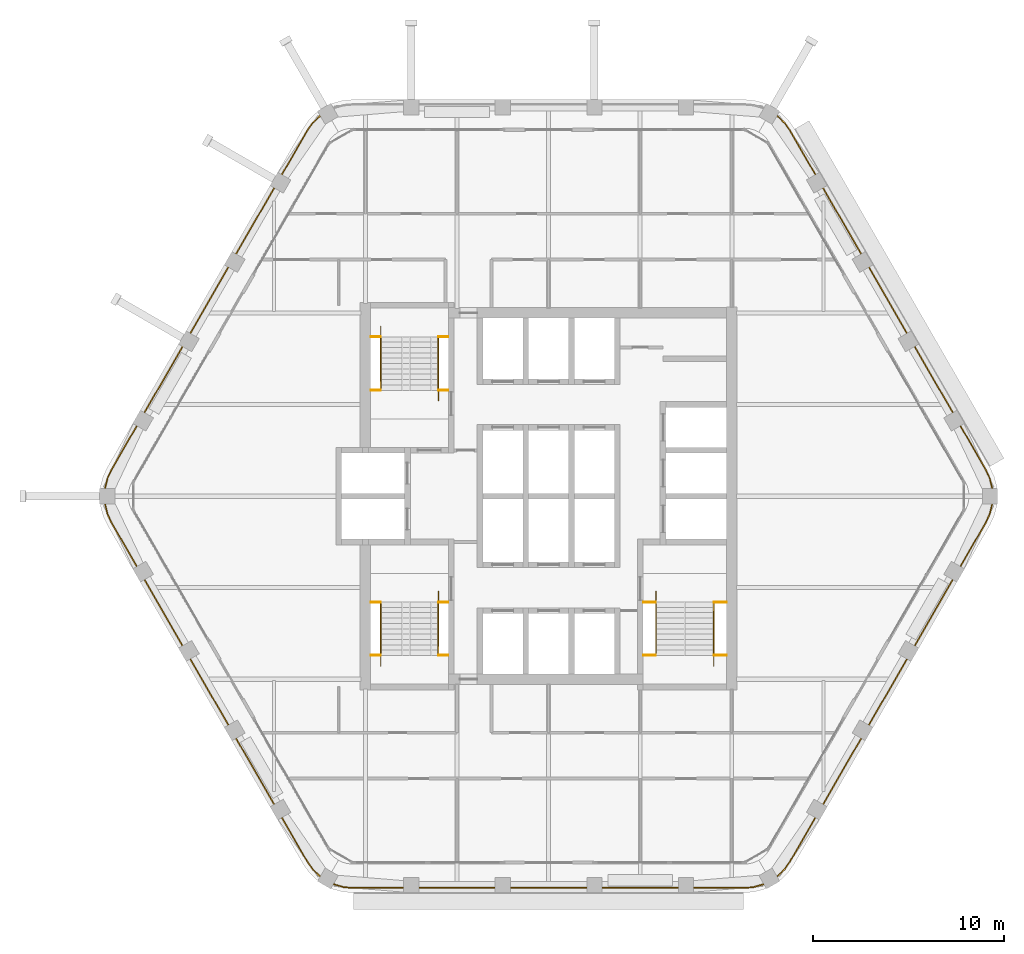
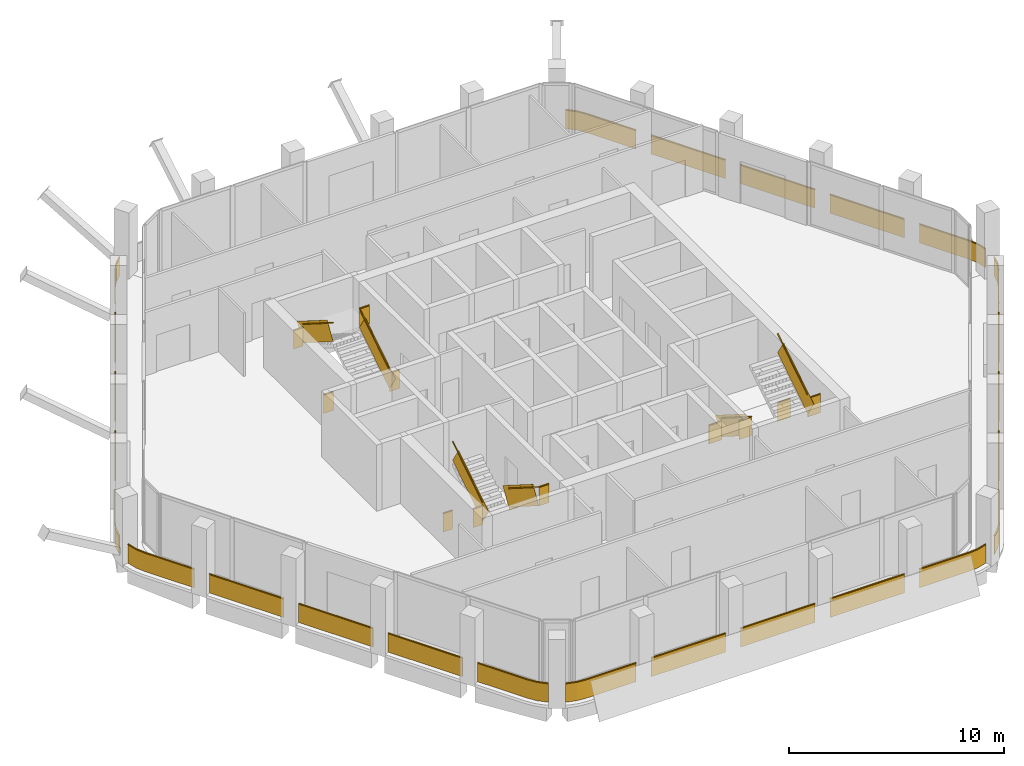
# One storey, part 13 of 14: 11 railings.
"""IFC4 building model written with IfcOpenShell, lengths in metres."""

import ifcopenshell
import ifcopenshell.guid

model = None  # the IFC model being written
_history = None  # IfcOwnerHistory: only IFC2X3 demands one
_inside = {}  # id of a spatial element -> (the spatial element, [elements in it])
_under = {}  # id of a project, library or spatial element -> (it, [spatial elements below it])
_declared = {}  # id of a project -> (the project, [libraries it declares])
_typed = {}  # id of a type object -> (the type object, [elements of that type])
_made_of = {}  # id of a material, layer set ... -> (it, [elements and type objects made of it])


def new_model(schema):
    """Start an empty IFC model of exactly this schema.

    Asked for "IFC4X3", IfcOpenShell would pick the latest addendum, in which some entities
    have other attributes; the version numbers below select the first issue.
    IFC2X3 requires an IfcOwnerHistory on every rooted entity: one is made here for all.
    """
    global model, _history
    if schema == "IFC4X3":
        model = ifcopenshell.file(schema_version=(4, 3, 0, 0))
    else:
        model = ifcopenshell.file(schema=schema)
    _inside.clear()
    _under.clear()
    _declared.clear()
    _typed.clear()
    _made_of.clear()
    _history = None
    if model.schema == "IFC2X3":
        org = make("IfcOrganization", Name="unknown")
        user = make(
            "IfcPersonAndOrganization",
            ThePerson=make("IfcPerson", FamilyName="unknown"),
            TheOrganization=org,
        )
        app = make(
            "IfcApplication",
            ApplicationDeveloper=org,
            Version="unknown",
            ApplicationFullName="unknown",
            ApplicationIdentifier="unknown",
        )
        _history = make(
            "IfcOwnerHistory",
            OwningUser=user,
            OwningApplication=app,
            ChangeAction="ADDED",
            CreationDate=0,
        )
    return model


def make(cls, **values):
    """One entity of the class cls with the attributes given. An attribute that is None is left unset."""
    return model.create_entity(
        cls, **{name: value for name, value in values.items() if value is not None}
    )


def rooted(cls, **values):
    """An entity with a GlobalId (a new one), such as an element, a storey or a relation."""
    return make(cls, GlobalId=ifcopenshell.guid.new(), OwnerHistory=_history, **values)


def si_unit(unit_type, name, prefix=None):
    """IfcSIUnit, for example si_unit("LENGTHUNIT", "METRE", prefix="MILLI")."""
    return make("IfcSIUnit", UnitType=unit_type, Prefix=prefix, Name=name)


def assignment(units):
    """IfcUnitAssignment: the units of a project."""
    return None if units is None else make("IfcUnitAssignment", Units=units)


def point(xyz):
    """IfcCartesianPoint."""
    return None if xyz is None else make("IfcCartesianPoint", Coordinates=xyz)


def direction(xyz):
    """IfcDirection."""
    return None if xyz is None else make("IfcDirection", DirectionRatios=xyz)


def frame(location, z_axis=None, x_axis=None):
    """IfcAxis2Placement3D, a coordinate frame: its origin and axes. An axis left out is left unset."""
    return make(
        "IfcAxis2Placement3D",
        Location=point(location),
        Axis=direction(z_axis),
        RefDirection=direction(x_axis),
    )


def frame_2d(location, x_axis=None):
    """IfcAxis2Placement2D, a coordinate frame in the plane: its origin and x axis."""
    return make(
        "IfcAxis2Placement2D", Location=point(location), RefDirection=direction(x_axis)
    )


def origin():
    """The frame at (0, 0, 0) with its axes left unset."""
    return frame((0.0, 0.0, 0.0))


def origin_2d():
    """The frame at (0, 0) in the plane with its x axis left unset."""
    return frame_2d((0.0, 0.0))


def place(relative_to, where):
    """IfcLocalPlacement: puts the frame where relative to a parent placement (None: the world)."""
    return make(
        "IfcLocalPlacement", PlacementRelTo=relative_to, RelativePlacement=where
    )


def context(
    kind, dimensions, precision=None, world=None, true_north=None, identifier=None
):
    """IfcGeometricRepresentationContext, for example the 3D "Model" context."""
    return make(
        "IfcGeometricRepresentationContext",
        ContextIdentifier=identifier,
        ContextType=kind,
        CoordinateSpaceDimension=dimensions,
        Precision=precision,
        WorldCoordinateSystem=world,
        TrueNorth=true_north,
    )


def subcontext(parent, identifier, kind, view, scale=None):
    """IfcGeometricRepresentationSubContext, for example "Body" below "Model"."""
    return make(
        "IfcGeometricRepresentationSubContext",
        ContextIdentifier=identifier,
        ContextType=kind,
        ParentContext=parent,
        TargetScale=scale,
        TargetView=view,
    )


def project(units=None, contexts=None):
    """IfcProject with its units and contexts."""
    return rooted(
        "IfcProject",
        Name="project",
        RepresentationContexts=contexts,
        UnitsInContext=assignment(units),
    )


def spatial(cls, under=None, at=None, **own):
    """A site, building, storey or space (cls), placed at a placement, below another one or the project."""
    s = rooted(cls, ObjectPlacement=at, **own)
    if under is not None:
        _under.setdefault(under.id(), (under, []))[1].append(s)
    return s


def profile(cls, at=None, kind="AREA", **sizes):
    """A parametric profile (cls). Its sizes go by their IFC names, for example OverallWidth=200.0."""
    return make(cls, ProfileType=kind, Position=at, **sizes)


def rectangle(**sizes):
    """IfcRectangleProfileDef."""
    return profile("IfcRectangleProfileDef", **sizes)


def extrude(swept, where, along, depth):
    """IfcExtrudedAreaSolid: the profile swept, set in the frame where, extruded along a direction by depth."""
    return make(
        "IfcExtrudedAreaSolid",
        SweptArea=swept,
        Position=where,
        ExtrudedDirection=direction(along),
        Depth=depth,
    )


def shape(context_of_items, identifier, shape_type, items):
    """IfcShapeRepresentation: the items that make up one representation, for example the "Body"."""
    return make(
        "IfcShapeRepresentation",
        ContextOfItems=context_of_items,
        RepresentationIdentifier=identifier,
        RepresentationType=shape_type,
        Items=items,
    )


def material(Name=None, Category=None):
    """IfcMaterial."""
    return make("IfcMaterial", Name=Name, Category=Category)


def made_of(thing, what):
    """Note that an element or type object is made of a material, layer set ...; save() writes the relation."""
    if what is not None:
        _made_of.setdefault(what.id(), (what, []))[1].append(thing)
    return thing


def type_object(cls, material=None, **own):
    """A type object (cls), such as IfcWallType, which elements share."""
    return made_of(rooted(cls, **own), material)


def element(
    cls,
    number,
    at=None,
    inside=None,
    cuts=None,
    type_object=None,
    material=None,
    context=None,
    identifier="Body",
    shape_type=None,
    held_by="IfcProductDefinitionShape",
    body=None,
    shapes=None,
    **own,
):
    """One element of the class cls, such as IfcWall. Its Tag is "e" and its number.

    at: its placement. inside: the storey or other place that contains it. cuts: it is an
    opening in that element (IfcRelVoidsElement). A single representation is given by context,
    identifier, shape_type and body (its items); several are given by shapes. held_by: the class
    of the entity that holds the representations. save() writes the other relations.
    """
    e = rooted(cls, Tag="e%d" % number, ObjectPlacement=at, **own)
    if body is not None:
        shapes = [shape(context, identifier, shape_type, body)]
    if shapes is not None:
        e.Representation = make(held_by, Representations=shapes)
    if inside is not None:
        _inside.setdefault(inside.id(), (inside, []))[1].append(e)
    if cuts is not None:
        rooted(
            "IfcRelVoidsElement", RelatingBuildingElement=cuts, RelatedOpeningElement=e
        )
    if type_object is not None:
        _typed.setdefault(type_object.id(), (type_object, []))[1].append(e)
    return made_of(e, material)


def aggregate(whole, parts):
    """IfcRelAggregates: a whole, such as a stair, and the parts it consists of."""
    return rooted("IfcRelAggregates", RelatingObject=whole, RelatedObjects=parts)


def save(model, path):
    """Write the relations noted so far, then the file.

    IfcRelAggregates (storeys below a building ...), IfcRelContainedInSpatialStructure (elements
    in a storey), IfcRelDefinesByType, IfcRelAssociatesMaterial and IfcRelDeclares: one each for
    every whole, place, type object, material and project.
    """
    for whole, parts in _under.values():
        aggregate(whole, parts)
    for where, things in _inside.values():
        rooted(
            "IfcRelContainedInSpatialStructure",
            RelatedElements=things,
            RelatingStructure=where,
        )
    for kind, things in _typed.values():
        rooted("IfcRelDefinesByType", RelatedObjects=things, RelatingType=kind)
    for what, things in _made_of.values():
        rooted("IfcRelAssociatesMaterial", RelatedObjects=things, RelatingMaterial=what)
    for by, libraries in _declared.values():
        rooted("IfcRelDeclares", RelatingContext=by, RelatedDefinitions=libraries)
    model.write(path)


model = new_model("IFC4")

# Units and contexts
model_context = context("Model", 3, precision=1e-05, world=origin(), true_north=direction((0.0, 1.0)))
body_context = subcontext(model_context, "Body", "Model", "MODEL_VIEW")
ifc_project = project(units=[si_unit("LENGTHUNIT", "METRE"), si_unit("AREAUNIT", "SQUARE_METRE"), si_unit("VOLUMEUNIT", "CUBIC_METRE"), si_unit("PLANEANGLEUNIT", "RADIAN"), si_unit("MASSUNIT", "GRAM", prefix="KILO")], contexts=[model_context])

# Site, building, storey
site_placement = place(None, origin())
site = spatial("IfcSite", under=ifc_project, at=site_placement, CompositionType="ELEMENT")
building_placement = place(site_placement, origin())
building = spatial("IfcBuilding", under=site, at=building_placement, Name="Kolab Exchange Tower", CompositionType="ELEMENT")
storey_placement = place(building_placement, frame((0.0, 0.0, 250.10009765625)))
storey = spatial("IfcBuildingStorey", under=building, at=storey_placement, Name="L55", CompositionType="ELEMENT", Elevation=250.10009765625)

# Railings
ifc_material_1 = material(Name="Stainless steel 316", Category="steel")
railing_type_1 = type_object("IfcRailingType", Name="GUARD 1100", PredefinedType="GUARDRAIL", material=ifc_material_1)
railing_1_placement = place(storey_placement, frame((-9.324951171875, 5.550048828125, 0.0)))
element("IfcRailing", 1, at=railing_1_placement, inside=storey, type_object=railing_type_1, Name="Guard ST1", PredefinedType="GUARDRAIL", context=body_context, shape_type="SweptSolid", body=[
    extrude(rectangle(XDim=0.05, YDim=0.05, at=origin_2d()), frame((0.0, 0.0, 1.0751953125), z_axis=(1.0, 0.0, 0.0), x_axis=(0.0, 1.0, 0.0)), (0.0, 0.0, 1.0), 0.52734375),
    extrude(rectangle(XDim=0.012, YDim=1.05009765625, at=frame_2d((0.0, 0.525146484375))), frame((0.0, 0.0, 0.0), z_axis=(1.0, 0.0, 0.0), x_axis=(0.0, 1.0, 0.0)), (0.0, 0.0, 1.0), 0.52734375),
    extrude(rectangle(XDim=0.05, YDim=0.05, at=origin_2d()), frame((3.54736328125, 0.0, 1.0751953125), z_axis=(1.0, 0.0, 0.0), x_axis=(0.0, 1.0, 0.0)), (0.0, 0.0, 1.0), 0.527587890625),
    extrude(rectangle(XDim=0.012, YDim=1.05009765625, at=frame_2d((0.0, 0.525146484375))), frame((3.54736328125, 0.0, 0.0), z_axis=(1.0, 0.0, 0.0), x_axis=(0.0, 1.0, 0.0)), (0.0, 0.0, 1.0), 0.527587890625),
    extrude(rectangle(XDim=0.05, YDim=0.05, at=origin_2d()), frame((0.0, 2.800048828125, 3.025146484375), z_axis=(1.0, 0.0, 0.0), x_axis=(0.0, 1.0, 0.0)), (0.0, 0.0, 1.0), 0.52734375),
    extrude(rectangle(XDim=0.012, YDim=1.05009765625, at=frame_2d((0.0, 0.525146484375))), frame((0.0, 2.800048828125, 1.949951171875), z_axis=(1.0, 0.0, 0.0), x_axis=(0.0, 1.0, 0.0)), (0.0, 0.0, 1.0), 0.52734375),
    extrude(rectangle(XDim=0.05, YDim=0.05, at=origin_2d()), frame((3.54736328125, 2.800048828125, 3.025146484375), z_axis=(1.0, 0.0, 0.0), x_axis=(0.0, 1.0, 0.0)), (0.0, 0.0, 1.0), 0.527587890625),
    extrude(rectangle(XDim=0.012, YDim=1.05009765625, at=frame_2d((0.0, 0.525146484375))), frame((3.54736328125, 2.800048828125, 1.949951171875), z_axis=(1.0, 0.0, 0.0), x_axis=(0.0, 1.0, 0.0)), (0.0, 0.0, 1.0), 0.527587890625),
])
railing_2_placement = place(storey_placement, frame((-5.777587890625, 5.550048828125, 0.17724609375)))
element("IfcRailing", 2, at=railing_2_placement, inside=storey, type_object=railing_type_1, Name="Handrail guard ST1", PredefinedType="GUARDRAIL", context=body_context, shape_type="SweptSolid", body=[
    extrude(rectangle(XDim=0.05, YDim=0.05, at=origin_2d()), frame((0.0, 0.0, 1.0751953125), z_axis=(0.0, 0.844908973607, 0.534910110503), x_axis=(-1.0, 0.0, 0.0)), (0.0, 0.0, 1.0), 3.31396484375),
    extrude(rectangle(XDim=0.012, YDim=1.05009765625, at=frame_2d((0.0, 0.525146484375))), frame((0.0, 0.0, 0.0), z_axis=(0.0, 0.844908973607, 0.534910110503), x_axis=(-1.0, 0.0, 0.0)), (0.0, 0.0, 1.0), 3.31396484375),
    extrude(rectangle(XDim=0.05, YDim=0.05, at=origin_2d()), frame((-3.02001953125, 2.800048828125, 3.025146484375), z_axis=(0.0, -0.844908973607, 0.534910110503), x_axis=(1.0, 0.0, 0.0)), (0.0, 0.0, 1.0), 3.31396484375),
    extrude(rectangle(XDim=0.012, YDim=1.05009765625, at=frame_2d((0.0, 0.525146484375))), frame((-3.02001953125, 2.800048828125, 1.949951171875), z_axis=(0.0, -0.844908973607, 0.534910110503), x_axis=(1.0, 0.0, 0.0)), (0.0, 0.0, 1.0), 3.31396484375),
])
railing_3_placement = place(storey_placement, frame((-9.324951171875, -5.550048828125, 0.0)))
element("IfcRailing", 3, at=railing_3_placement, inside=storey, type_object=railing_type_1, Name="Guard ST3", PredefinedType="GUARDRAIL", context=body_context, shape_type="SweptSolid", body=[
    extrude(rectangle(XDim=0.05, YDim=0.05, at=origin_2d()), frame((0.0, 0.0, 1.0751953125), z_axis=(1.0, 0.0, 0.0), x_axis=(0.0, 1.0, 0.0)), (0.0, 0.0, 1.0), 0.52734375),
    extrude(rectangle(XDim=0.012, YDim=1.05009765625, at=frame_2d((0.0, 0.525146484375))), frame((0.0, 0.0, 0.0), z_axis=(1.0, 0.0, 0.0), x_axis=(0.0, 1.0, 0.0)), (0.0, 0.0, 1.0), 0.52734375),
    extrude(rectangle(XDim=0.05, YDim=0.05, at=origin_2d()), frame((3.54736328125, 0.0, 1.0751953125), z_axis=(1.0, 0.0, 0.0), x_axis=(0.0, 1.0, 0.0)), (0.0, 0.0, 1.0), 0.527587890625),
    extrude(rectangle(XDim=0.012, YDim=1.05009765625, at=frame_2d((0.0, 0.525146484375))), frame((3.54736328125, 0.0, 0.0), z_axis=(1.0, 0.0, 0.0), x_axis=(0.0, 1.0, 0.0)), (0.0, 0.0, 1.0), 0.527587890625),
    extrude(rectangle(XDim=0.05, YDim=0.05, at=origin_2d()), frame((0.0, -2.800048828125, 3.025146484375), z_axis=(1.0, 0.0, 0.0), x_axis=(0.0, 1.0, 0.0)), (0.0, 0.0, 1.0), 0.52734375),
    extrude(rectangle(XDim=0.012, YDim=1.05009765625, at=frame_2d((0.0, 0.525146484375))), frame((0.0, -2.800048828125, 1.949951171875), z_axis=(1.0, 0.0, 0.0), x_axis=(0.0, 1.0, 0.0)), (0.0, 0.0, 1.0), 0.52734375),
    extrude(rectangle(XDim=0.05, YDim=0.05, at=origin_2d()), frame((3.54736328125, -2.800048828125, 3.025146484375), z_axis=(1.0, 0.0, 0.0), x_axis=(0.0, 1.0, 0.0)), (0.0, 0.0, 1.0), 0.527587890625),
    extrude(rectangle(XDim=0.012, YDim=1.05009765625, at=frame_2d((0.0, 0.525146484375))), frame((3.54736328125, -2.800048828125, 1.949951171875), z_axis=(1.0, 0.0, 0.0), x_axis=(0.0, 1.0, 0.0)), (0.0, 0.0, 1.0), 0.527587890625),
])
railing_4_placement = place(storey_placement, frame((-5.777587890625, -5.550048828125, 0.17724609375)))
element("IfcRailing", 4, at=railing_4_placement, inside=storey, type_object=railing_type_1, Name="Handrail guard ST3", PredefinedType="GUARDRAIL", context=body_context, shape_type="SweptSolid", body=[
    extrude(rectangle(XDim=0.05, YDim=0.05, at=origin_2d()), frame((0.0, 0.0, 1.0751953125), z_axis=(0.0, -0.844908973607, 0.534910110503), x_axis=(1.0, 0.0, 0.0)), (0.0, 0.0, 1.0), 3.31396484375),
    extrude(rectangle(XDim=0.012, YDim=1.05009765625, at=frame_2d((0.0, 0.525146484375))), frame((0.0, 0.0, 0.0), z_axis=(0.0, -0.844908973607, 0.534910110503), x_axis=(1.0, 0.0, 0.0)), (0.0, 0.0, 1.0), 3.31396484375),
    extrude(rectangle(XDim=0.05, YDim=0.05, at=origin_2d()), frame((-3.02001953125, -2.800048828125, 3.025146484375), z_axis=(0.0, 0.844908973607, 0.534910110503), x_axis=(-1.0, 0.0, 0.0)), (0.0, 0.0, 1.0), 3.31396484375),
    extrude(rectangle(XDim=0.012, YDim=1.05009765625, at=frame_2d((0.0, 0.525146484375))), frame((-3.02001953125, -2.800048828125, 1.949951171875), z_axis=(0.0, 0.844908973607, 0.534910110503), x_axis=(-1.0, 0.0, 0.0)), (0.0, 0.0, 1.0), 3.31396484375),
])
railing_5_placement = place(storey_placement, frame((4.949951171875, -5.550048828125, 0.0)))
element("IfcRailing", 5, at=railing_5_placement, inside=storey, type_object=railing_type_1, Name="Guard ST2", PredefinedType="GUARDRAIL", context=body_context, shape_type="SweptSolid", body=[
    extrude(rectangle(XDim=0.05, YDim=0.05, at=origin_2d()), frame((0.0, 0.0, 1.0751953125), z_axis=(1.0, 0.0, 0.0), x_axis=(0.0, 1.0, 0.0)), (0.0, 0.0, 1.0), 0.677490234375),
    extrude(rectangle(XDim=0.012, YDim=1.05009765625, at=frame_2d((0.0, 0.525146484375))), frame((0.0, 0.0, 0.0), z_axis=(1.0, 0.0, 0.0), x_axis=(0.0, 1.0, 0.0)), (0.0, 0.0, 1.0), 0.677490234375),
    extrude(rectangle(XDim=0.05, YDim=0.05, at=origin_2d()), frame((3.697509765625, 0.0, 1.0751953125), z_axis=(1.0, 0.0, 0.0), x_axis=(0.0, 1.0, 0.0)), (0.0, 0.0, 1.0), 0.677490234375),
    extrude(rectangle(XDim=0.012, YDim=1.05009765625, at=frame_2d((0.0, 0.525146484375))), frame((3.697509765625, 0.0, 0.0), z_axis=(1.0, 0.0, 0.0), x_axis=(0.0, 1.0, 0.0)), (0.0, 0.0, 1.0), 0.677490234375),
    extrude(rectangle(XDim=0.05, YDim=0.05, at=origin_2d()), frame((0.0, -2.800048828125, 3.025146484375), z_axis=(1.0, 0.0, 0.0), x_axis=(0.0, 1.0, 0.0)), (0.0, 0.0, 1.0), 0.677490234375),
    extrude(rectangle(XDim=0.012, YDim=1.05009765625, at=frame_2d((0.0, 0.525146484375))), frame((0.0, -2.800048828125, 1.949951171875), z_axis=(1.0, 0.0, 0.0), x_axis=(0.0, 1.0, 0.0)), (0.0, 0.0, 1.0), 0.677490234375),
    extrude(rectangle(XDim=0.05, YDim=0.05, at=origin_2d()), frame((3.697509765625, -2.800048828125, 3.025146484375), z_axis=(1.0, 0.0, 0.0), x_axis=(0.0, 1.0, 0.0)), (0.0, 0.0, 1.0), 0.677490234375),
    extrude(rectangle(XDim=0.012, YDim=1.05009765625, at=frame_2d((0.0, 0.525146484375))), frame((3.697509765625, -2.800048828125, 1.949951171875), z_axis=(1.0, 0.0, 0.0), x_axis=(0.0, 1.0, 0.0)), (0.0, 0.0, 1.0), 0.677490234375),
])
railing_6_placement = place(storey_placement, frame((5.62744140625, -5.550048828125, 0.17724609375)))
element("IfcRailing", 6, at=railing_6_placement, inside=storey, type_object=railing_type_1, Name="Handrail guard ST2", PredefinedType="GUARDRAIL", context=body_context, shape_type="SweptSolid", body=[
    extrude(rectangle(XDim=0.05, YDim=0.05, at=origin_2d()), frame((0.0, 0.0, 1.0751953125), z_axis=(0.0, -0.844908973607, 0.534910110503), x_axis=(1.0, 0.0, 0.0)), (0.0, 0.0, 1.0), 3.31396484375),
    extrude(rectangle(XDim=0.012, YDim=1.05009765625, at=frame_2d((0.0, 0.525146484375))), frame((0.0, 0.0, 0.0), z_axis=(0.0, -0.844908973607, 0.534910110503), x_axis=(1.0, 0.0, 0.0)), (0.0, 0.0, 1.0), 3.31396484375),
    extrude(rectangle(XDim=0.05, YDim=0.05, at=origin_2d()), frame((3.02001953125, -2.800048828125, 3.025146484375), z_axis=(0.0, 0.844908973607, 0.534910110503), x_axis=(-1.0, 0.0, 0.0)), (0.0, 0.0, 1.0), 3.31396484375),
    extrude(rectangle(XDim=0.012, YDim=1.05009765625, at=frame_2d((0.0, 0.525146484375))), frame((3.02001953125, -2.800048828125, 1.949951171875), z_axis=(0.0, 0.844908973607, 0.534910110503), x_axis=(-1.0, 0.0, 0.0)), (0.0, 0.0, 1.0), 3.31396484375),
])
ifc_material_2 = material(Name="Steel S235", Category="steel")
railing_type_2 = type_object("IfcRailingType", Name="GUARD 1100 GLASS BALUSTRADE AND STEEL TOP RAIL", PredefinedType="GUARDRAIL", material=ifc_material_2)
railing_7_placement = place(storey_placement, frame((23.2509765625, 0.3984375, 0.0)))
element("IfcRailing", 7, at=railing_7_placement, inside=storey, type_object=railing_type_2, Name="Guard", PredefinedType="GUARDRAIL", context=body_context, shape_type="SweptSolid", body=[
    extrude(rectangle(XDim=0.05, YDim=0.05, at=origin_2d()), frame((0.0, 0.0, 1.0751953125), z_axis=(-0.234597748196, 0.972092534968, 0.0), x_axis=(-0.972092534968, -0.234597748196, 0.0)), (0.0, 0.0, 1.0), 0.557861328125),
    extrude(rectangle(XDim=0.012, YDim=1.05009765625, at=frame_2d((0.0, 0.525146484375))), frame((0.0, 0.0, 0.0), z_axis=(-0.234597748196, 0.972092534968, 0.0), x_axis=(-0.972092534968, -0.234597748196, 0.0)), (0.0, 0.0, 1.0), 0.557861328125),
    extrude(rectangle(XDim=0.05, YDim=0.05, at=origin_2d()), frame((-0.130859375, 0.542236328125, 1.0751953125), z_axis=(-0.422801802984, 0.906222177721, 0.0), x_axis=(-0.906222177721, -0.422801802984, 0.0)), (0.0, 0.0, 1.0), 0.479248046875),
    extrude(rectangle(XDim=0.012, YDim=1.05009765625, at=frame_2d((0.0, 0.525146484375))), frame((-0.130859375, 0.542236328125, 0.0), z_axis=(-0.422801802984, 0.906222177721, 0.0), x_axis=(-0.906222177721, -0.422801802984, 0.0)), (0.0, 0.0, 1.0), 0.479248046875),
    extrude(rectangle(XDim=0.05, YDim=0.05, at=origin_2d()), frame((-0.33349609375, 0.9765625, 1.0751953125), z_axis=(-0.499997052475, 0.866027105532, 0.0), x_axis=(-0.866027105532, -0.499997052475, 0.0)), (0.0, 0.0, 1.0), 2.66796875),
    extrude(rectangle(XDim=0.012, YDim=1.05009765625, at=frame_2d((0.0, 0.525146484375))), frame((-0.33349609375, 0.9765625, 0.0), z_axis=(-0.499997052475, 0.866027105532, 0.0), x_axis=(-0.866027105532, -0.499997052475, 0.0)), (0.0, 0.0, 1.0), 2.66796875),
    extrude(rectangle(XDim=0.05, YDim=0.05, at=origin_2d()), frame((-2.0673828125, 3.97998046875, 1.0751953125), z_axis=(-0.49999894854, 0.866026010844, 0.0), x_axis=(-0.866026010844, -0.49999894854, 0.0)), (0.0, 0.0, 1.0), 4.0),
    extrude(rectangle(XDim=0.012, YDim=1.05009765625, at=frame_2d((0.0, 0.525146484375))), frame((-2.0673828125, 3.97998046875, 0.0), z_axis=(-0.49999894854, 0.866026010844, 0.0), x_axis=(-0.866026010844, -0.49999894854, 0.0)), (0.0, 0.0, 1.0), 4.0),
    extrude(rectangle(XDim=0.05, YDim=0.05, at=origin_2d()), frame((-4.467529296875, 8.13671875, 1.0751953125), z_axis=(-0.49999894854, 0.866026010844, 0.0), x_axis=(-0.866026010844, -0.49999894854, 0.0)), (0.0, 0.0, 1.0), 4.0),
    extrude(rectangle(XDim=0.012, YDim=1.05009765625, at=frame_2d((0.0, 0.525146484375))), frame((-4.467529296875, 8.13671875, 0.0), z_axis=(-0.49999894854, 0.866026010844, 0.0), x_axis=(-0.866026010844, -0.49999894854, 0.0)), (0.0, 0.0, 1.0), 4.0),
    extrude(rectangle(XDim=0.05, YDim=0.05, at=origin_2d()), frame((-6.867431640625, 12.293701171875, 1.0751953125), z_axis=(-0.49999894854, 0.866026010844, 0.0), x_axis=(-0.866026010844, -0.49999894854, 0.0)), (0.0, 0.0, 1.0), 4.0),
    extrude(rectangle(XDim=0.012, YDim=1.05009765625, at=frame_2d((0.0, 0.525146484375))), frame((-6.867431640625, 12.293701171875, 0.0), z_axis=(-0.49999894854, 0.866026010844, 0.0), x_axis=(-0.866026010844, -0.49999894854, 0.0)), (0.0, 0.0, 1.0), 4.0),
    extrude(rectangle(XDim=0.05, YDim=0.05, at=origin_2d()), frame((-9.267578125, 16.45068359375, 1.0751953125), z_axis=(-0.499997052475, 0.866027105532, 0.0), x_axis=(-0.866027105532, -0.499997052475, 0.0)), (0.0, 0.0, 1.0), 2.66796875),
    extrude(rectangle(XDim=0.012, YDim=1.05009765625, at=frame_2d((0.0, 0.525146484375))), frame((-9.267578125, 16.45068359375, 0.0), z_axis=(-0.499997052475, 0.866027105532, 0.0), x_axis=(-0.866027105532, -0.499997052475, 0.0)), (0.0, 0.0, 1.0), 2.66796875),
    extrude(rectangle(XDim=0.05, YDim=0.05, at=origin_2d()), frame((-10.6015625, 18.76123046875, 1.0751953125), z_axis=(-0.573599091554, 0.819136180478, 0.0), x_axis=(-0.819136180478, -0.573599091554, 0.0)), (0.0, 0.0, 1.0), 0.479248046875),
    extrude(rectangle(XDim=0.012, YDim=1.05009765625, at=frame_2d((0.0, 0.525146484375))), frame((-10.6015625, 18.76123046875, 0.0), z_axis=(-0.573599091554, 0.819136180478, 0.0), x_axis=(-0.819136180478, -0.573599091554, 0.0)), (0.0, 0.0, 1.0), 0.479248046875),
    extrude(rectangle(XDim=0.05, YDim=0.05, at=origin_2d()), frame((-10.87646484375, 19.15380859375, 1.0751953125), z_axis=(-0.724189990991, 0.689600505327, 0.0), x_axis=(-0.689600505327, -0.724189990991, 0.0)), (0.0, 0.0, 1.0), 0.5576171875),
    extrude(rectangle(XDim=0.012, YDim=1.05009765625, at=frame_2d((0.0, 0.525146484375))), frame((-10.87646484375, 19.15380859375, 0.0), z_axis=(-0.724189990991, 0.689600505327, 0.0), x_axis=(-0.689600505327, -0.724189990991, 0.0)), (0.0, 0.0, 1.0), 0.5576171875),
])
railing_8_placement = place(storey_placement, frame((11.970703125, -19.936767578125, 0.0)))
element("IfcRailing", 8, at=railing_8_placement, inside=storey, type_object=railing_type_2, Name="Guard", PredefinedType="GUARDRAIL", context=body_context, shape_type="SweptSolid", body=[
    extrude(rectangle(XDim=0.05, YDim=0.05, at=origin_2d()), frame((0.0, 0.0, 1.0751953125), z_axis=(0.724189990991, 0.689600505327, 0.0), x_axis=(-0.689600505327, 0.724189990991, 0.0)), (0.0, 0.0, 1.0), 0.5576171875),
    extrude(rectangle(XDim=0.012, YDim=1.05009765625, at=frame_2d((0.0, 0.525146484375))), frame((0.0, 0.0, 0.0), z_axis=(0.724189990991, 0.689600505327, 0.0), x_axis=(-0.689600505327, 0.724189990991, 0.0)), (0.0, 0.0, 1.0), 0.5576171875),
    extrude(rectangle(XDim=0.05, YDim=0.05, at=origin_2d()), frame((0.40380859375, 0.384521484375, 1.0751953125), z_axis=(0.573599091554, 0.819136180478, 0.0), x_axis=(-0.819136180478, 0.573599091554, 0.0)), (0.0, 0.0, 1.0), 0.479248046875),
    extrude(rectangle(XDim=0.012, YDim=1.05009765625, at=frame_2d((0.0, 0.525146484375))), frame((0.40380859375, 0.384521484375, 0.0), z_axis=(0.573599091554, 0.819136180478, 0.0), x_axis=(-0.819136180478, 0.573599091554, 0.0)), (0.0, 0.0, 1.0), 0.479248046875),
    extrude(rectangle(XDim=0.05, YDim=0.05, at=origin_2d()), frame((0.6787109375, 0.777099609375, 1.0751953125), z_axis=(0.499997052475, 0.866027105532, 0.0), x_axis=(-0.866027105532, 0.499997052475, 0.0)), (0.0, 0.0, 1.0), 2.66796875),
    extrude(rectangle(XDim=0.012, YDim=1.05009765625, at=frame_2d((0.0, 0.525146484375))), frame((0.6787109375, 0.777099609375, 0.0), z_axis=(0.499997052475, 0.866027105532, 0.0), x_axis=(-0.866027105532, 0.499997052475, 0.0)), (0.0, 0.0, 1.0), 2.66796875),
    extrude(rectangle(XDim=0.05, YDim=0.05, at=origin_2d()), frame((2.412841796875, 3.780517578125, 1.0751953125), z_axis=(0.49999894854, 0.866026010844, 0.0), x_axis=(-0.866026010844, 0.49999894854, 0.0)), (0.0, 0.0, 1.0), 4.0),
    extrude(rectangle(XDim=0.012, YDim=1.05009765625, at=frame_2d((0.0, 0.525146484375))), frame((2.412841796875, 3.780517578125, 0.0), z_axis=(0.49999894854, 0.866026010844, 0.0), x_axis=(-0.866026010844, 0.49999894854, 0.0)), (0.0, 0.0, 1.0), 4.0),
    extrude(rectangle(XDim=0.05, YDim=0.05, at=origin_2d()), frame((4.812744140625, 7.9375, 1.0751953125), z_axis=(0.49999894854, 0.866026010844, 0.0), x_axis=(-0.866026010844, 0.49999894854, 0.0)), (0.0, 0.0, 1.0), 4.0),
    extrude(rectangle(XDim=0.012, YDim=1.05009765625, at=frame_2d((0.0, 0.525146484375))), frame((4.812744140625, 7.9375, 0.0), z_axis=(0.49999894854, 0.866026010844, 0.0), x_axis=(-0.866026010844, 0.49999894854, 0.0)), (0.0, 0.0, 1.0), 4.0),
    extrude(rectangle(XDim=0.05, YDim=0.05, at=origin_2d()), frame((7.212890625, 12.09423828125, 1.0751953125), z_axis=(0.49999894854, 0.866026010844, 0.0), x_axis=(-0.866026010844, 0.49999894854, 0.0)), (0.0, 0.0, 1.0), 4.0),
    extrude(rectangle(XDim=0.012, YDim=1.05009765625, at=frame_2d((0.0, 0.525146484375))), frame((7.212890625, 12.09423828125, 0.0), z_axis=(0.49999894854, 0.866026010844, 0.0), x_axis=(-0.866026010844, 0.49999894854, 0.0)), (0.0, 0.0, 1.0), 4.0),
    extrude(rectangle(XDim=0.05, YDim=0.05, at=origin_2d()), frame((9.61279296875, 16.251220703125, 1.0751953125), z_axis=(0.499997052475, 0.866027105532, 0.0), x_axis=(-0.866027105532, 0.499997052475, 0.0)), (0.0, 0.0, 1.0), 2.66796875),
    extrude(rectangle(XDim=0.012, YDim=1.05009765625, at=frame_2d((0.0, 0.525146484375))), frame((9.61279296875, 16.251220703125, 0.0), z_axis=(0.499997052475, 0.866027105532, 0.0), x_axis=(-0.866027105532, 0.499997052475, 0.0)), (0.0, 0.0, 1.0), 2.66796875),
    extrude(rectangle(XDim=0.05, YDim=0.05, at=origin_2d()), frame((10.94677734375, 18.561767578125, 1.0751953125), z_axis=(0.422801802984, 0.906222177721, 0.0), x_axis=(-0.906222177721, 0.422801802984, 0.0)), (0.0, 0.0, 1.0), 0.479248046875),
    extrude(rectangle(XDim=0.012, YDim=1.05009765625, at=frame_2d((0.0, 0.525146484375))), frame((10.94677734375, 18.561767578125, 0.0), z_axis=(0.422801802984, 0.906222177721, 0.0), x_axis=(-0.906222177721, 0.422801802984, 0.0)), (0.0, 0.0, 1.0), 0.479248046875),
    extrude(rectangle(XDim=0.05, YDim=0.05, at=origin_2d()), frame((11.1494140625, 18.99609375, 1.0751953125), z_axis=(0.234597748196, 0.972092534968, 0.0), x_axis=(-0.972092534968, 0.234597748196, 0.0)), (0.0, 0.0, 1.0), 0.557861328125),
    extrude(rectangle(XDim=0.012, YDim=1.05009765625, at=frame_2d((0.0, 0.525146484375))), frame((11.1494140625, 18.99609375, 0.0), z_axis=(0.234597748196, 0.972092534968, 0.0), x_axis=(-0.972092534968, 0.234597748196, 0.0)), (0.0, 0.0, 1.0), 0.557861328125),
])
railing_9_placement = place(storey_placement, frame((-11.280517578125, -20.335205078125, 0.0)))
element("IfcRailing", 9, at=railing_9_placement, inside=storey, type_object=railing_type_2, Name="Guard", PredefinedType="GUARDRAIL", context=body_context, shape_type="SweptSolid", body=[
    extrude(rectangle(XDim=0.05, YDim=0.05, at=origin_2d()), frame((0.0, 0.0, 1.0751953125), z_axis=(0.959212061764, -0.282687496304, 0.0), x_axis=(0.282687496304, 0.959212061764, 0.0)), (0.0, 0.0, 1.0), 0.557861328125),
    extrude(rectangle(XDim=0.012, YDim=1.05009765625, at=frame_2d((0.0, 0.525146484375))), frame((0.0, 0.0, 0.0), z_axis=(0.959212061764, -0.282687496304, 0.0), x_axis=(0.282687496304, 0.959212061764, 0.0)), (0.0, 0.0, 1.0), 0.557861328125),
    extrude(rectangle(XDim=0.05, YDim=0.05, at=origin_2d()), frame((0.53515625, -0.15771484375, 1.0751953125), z_axis=(0.996196482496, -0.087135344505, 0.0), x_axis=(0.087135344505, 0.996196482496, 0.0)), (0.0, 0.0, 1.0), 0.47900390625),
    extrude(rectangle(XDim=0.012, YDim=1.05009765625, at=frame_2d((0.0, 0.525146484375))), frame((0.53515625, -0.15771484375, 0.0), z_axis=(0.996196482496, -0.087135344505, 0.0), x_axis=(0.087135344505, 0.996196482496, 0.0)), (0.0, 0.0, 1.0), 0.47900390625),
    extrude(rectangle(XDim=0.05, YDim=0.05, at=origin_2d()), frame((1.012451171875, -0.199462890625, 1.0751953125), z_axis=(1.0, 0.0, 0.0), x_axis=(0.0, 1.0, 0.0)), (0.0, 0.0, 1.0), 2.66796875),
    extrude(rectangle(XDim=0.012, YDim=1.05009765625, at=frame_2d((0.0, 0.525146484375))), frame((1.012451171875, -0.199462890625, 0.0), z_axis=(1.0, 0.0, 0.0), x_axis=(0.0, 1.0, 0.0)), (0.0, 0.0, 1.0), 2.66796875),
    extrude(rectangle(XDim=0.05, YDim=0.05, at=origin_2d()), frame((4.48046875, -0.199462890625, 1.0751953125), z_axis=(1.0, 0.0, 0.0), x_axis=(0.0, 1.0, 0.0)), (0.0, 0.0, 1.0), 4.0),
    extrude(rectangle(XDim=0.012, YDim=1.05009765625, at=frame_2d((0.0, 0.525146484375))), frame((4.48046875, -0.199462890625, 0.0), z_axis=(1.0, 0.0, 0.0), x_axis=(0.0, 1.0, 0.0)), (0.0, 0.0, 1.0), 4.0),
    extrude(rectangle(XDim=0.05, YDim=0.05, at=origin_2d()), frame((9.280517578125, -0.199462890625, 1.0751953125), z_axis=(1.0, 0.0, 0.0), x_axis=(0.0, 1.0, 0.0)), (0.0, 0.0, 1.0), 4.0),
    extrude(rectangle(XDim=0.012, YDim=1.05009765625, at=frame_2d((0.0, 0.525146484375))), frame((9.280517578125, -0.199462890625, 0.0), z_axis=(1.0, 0.0, 0.0), x_axis=(0.0, 1.0, 0.0)), (0.0, 0.0, 1.0), 4.0),
    extrude(rectangle(XDim=0.05, YDim=0.05, at=origin_2d()), frame((14.08056640625, -0.199462890625, 1.0751953125), z_axis=(1.0, 0.0, 0.0), x_axis=(0.0, 1.0, 0.0)), (0.0, 0.0, 1.0), 4.0),
    extrude(rectangle(XDim=0.012, YDim=1.05009765625, at=frame_2d((0.0, 0.525146484375))), frame((14.08056640625, -0.199462890625, 0.0), z_axis=(1.0, 0.0, 0.0), x_axis=(0.0, 1.0, 0.0)), (0.0, 0.0, 1.0), 4.0),
    extrude(rectangle(XDim=0.05, YDim=0.05, at=origin_2d()), frame((18.880615234375, -0.199462890625, 1.0751953125), z_axis=(1.0, 0.0, 0.0), x_axis=(0.0, 1.0, 0.0)), (0.0, 0.0, 1.0), 2.66796875),
    extrude(rectangle(XDim=0.012, YDim=1.05009765625, at=frame_2d((0.0, 0.525146484375))), frame((18.880615234375, -0.199462890625, 0.0), z_axis=(1.0, 0.0, 0.0), x_axis=(0.0, 1.0, 0.0)), (0.0, 0.0, 1.0), 2.66796875),
    extrude(rectangle(XDim=0.05, YDim=0.05, at=origin_2d()), frame((21.548583984375, -0.199462890625, 1.0751953125), z_axis=(0.996196482496, 0.087135344505, 0.0), x_axis=(-0.087135344505, 0.996196482496, 0.0)), (0.0, 0.0, 1.0), 0.47900390625),
    extrude(rectangle(XDim=0.012, YDim=1.05009765625, at=frame_2d((0.0, 0.525146484375))), frame((21.548583984375, -0.199462890625, 0.0), z_axis=(0.996196482496, 0.087135344505, 0.0), x_axis=(-0.087135344505, 0.996196482496, 0.0)), (0.0, 0.0, 1.0), 0.47900390625),
    extrude(rectangle(XDim=0.05, YDim=0.05, at=origin_2d()), frame((22.02587890625, -0.15771484375, 1.0751953125), z_axis=(0.959212061764, 0.282687496304, 0.0), x_axis=(-0.282687496304, 0.959212061764, 0.0)), (0.0, 0.0, 1.0), 0.557861328125),
    extrude(rectangle(XDim=0.012, YDim=1.05009765625, at=frame_2d((0.0, 0.525146484375))), frame((22.02587890625, -0.15771484375, 0.0), z_axis=(0.959212061764, 0.282687496304, 0.0), x_axis=(-0.282687496304, 0.959212061764, 0.0)), (0.0, 0.0, 1.0), 0.557861328125),
])
railing_10_placement = place(storey_placement, frame((-23.2509765625, -0.3984375, 0.0)))
element("IfcRailing", 10, at=railing_10_placement, inside=storey, type_object=railing_type_2, Name="Guard", PredefinedType="GUARDRAIL", context=body_context, shape_type="SweptSolid", body=[
    extrude(rectangle(XDim=0.05, YDim=0.05, at=origin_2d()), frame((0.0, 0.0, 1.0751953125), z_axis=(0.234597748196, -0.972092534968, 0.0), x_axis=(0.972092534968, 0.234597748196, 0.0)), (0.0, 0.0, 1.0), 0.557861328125),
    extrude(rectangle(XDim=0.012, YDim=1.05009765625, at=frame_2d((0.0, 0.525146484375))), frame((0.0, 0.0, 0.0), z_axis=(0.234597748196, -0.972092534968, 0.0), x_axis=(0.972092534968, 0.234597748196, 0.0)), (0.0, 0.0, 1.0), 0.557861328125),
    extrude(rectangle(XDim=0.05, YDim=0.05, at=origin_2d()), frame((0.130859375, -0.542236328125, 1.0751953125), z_axis=(0.422801802984, -0.906222177721, 0.0), x_axis=(0.906222177721, 0.422801802984, 0.0)), (0.0, 0.0, 1.0), 0.479248046875),
    extrude(rectangle(XDim=0.012, YDim=1.05009765625, at=frame_2d((0.0, 0.525146484375))), frame((0.130859375, -0.542236328125, 0.0), z_axis=(0.422801802984, -0.906222177721, 0.0), x_axis=(0.906222177721, 0.422801802984, 0.0)), (0.0, 0.0, 1.0), 0.479248046875),
    extrude(rectangle(XDim=0.05, YDim=0.05, at=origin_2d()), frame((0.33349609375, -0.9765625, 1.0751953125), z_axis=(0.499997052475, -0.866027105532, 0.0), x_axis=(0.866027105532, 0.499997052475, 0.0)), (0.0, 0.0, 1.0), 2.66796875),
    extrude(rectangle(XDim=0.012, YDim=1.05009765625, at=frame_2d((0.0, 0.525146484375))), frame((0.33349609375, -0.9765625, 0.0), z_axis=(0.499997052475, -0.866027105532, 0.0), x_axis=(0.866027105532, 0.499997052475, 0.0)), (0.0, 0.0, 1.0), 2.66796875),
    extrude(rectangle(XDim=0.05, YDim=0.05, at=origin_2d()), frame((2.0673828125, -3.97998046875, 1.0751953125), z_axis=(0.49999894854, -0.866026010844, 0.0), x_axis=(0.866026010844, 0.49999894854, 0.0)), (0.0, 0.0, 1.0), 4.0),
    extrude(rectangle(XDim=0.012, YDim=1.05009765625, at=frame_2d((0.0, 0.525146484375))), frame((2.0673828125, -3.97998046875, 0.0), z_axis=(0.49999894854, -0.866026010844, 0.0), x_axis=(0.866026010844, 0.49999894854, 0.0)), (0.0, 0.0, 1.0), 4.0),
    extrude(rectangle(XDim=0.05, YDim=0.05, at=origin_2d()), frame((4.467529296875, -8.13671875, 1.0751953125), z_axis=(0.49999894854, -0.866026010844, 0.0), x_axis=(0.866026010844, 0.49999894854, 0.0)), (0.0, 0.0, 1.0), 4.0),
    extrude(rectangle(XDim=0.012, YDim=1.05009765625, at=frame_2d((0.0, 0.525146484375))), frame((4.467529296875, -8.13671875, 0.0), z_axis=(0.49999894854, -0.866026010844, 0.0), x_axis=(0.866026010844, 0.49999894854, 0.0)), (0.0, 0.0, 1.0), 4.0),
    extrude(rectangle(XDim=0.05, YDim=0.05, at=origin_2d()), frame((6.867431640625, -12.293701171875, 1.0751953125), z_axis=(0.49999894854, -0.866026010844, 0.0), x_axis=(0.866026010844, 0.49999894854, 0.0)), (0.0, 0.0, 1.0), 4.0),
    extrude(rectangle(XDim=0.012, YDim=1.05009765625, at=frame_2d((0.0, 0.525146484375))), frame((6.867431640625, -12.293701171875, 0.0), z_axis=(0.49999894854, -0.866026010844, 0.0), x_axis=(0.866026010844, 0.49999894854, 0.0)), (0.0, 0.0, 1.0), 4.0),
    extrude(rectangle(XDim=0.05, YDim=0.05, at=origin_2d()), frame((9.267578125, -16.45068359375, 1.0751953125), z_axis=(0.499997052475, -0.866027105532, 0.0), x_axis=(0.866027105532, 0.499997052475, 0.0)), (0.0, 0.0, 1.0), 2.66796875),
    extrude(rectangle(XDim=0.012, YDim=1.05009765625, at=frame_2d((0.0, 0.525146484375))), frame((9.267578125, -16.45068359375, 0.0), z_axis=(0.499997052475, -0.866027105532, 0.0), x_axis=(0.866027105532, 0.499997052475, 0.0)), (0.0, 0.0, 1.0), 2.66796875),
    extrude(rectangle(XDim=0.05, YDim=0.05, at=origin_2d()), frame((10.6015625, -18.76123046875, 1.0751953125), z_axis=(0.573599091554, -0.819136180478, 0.0), x_axis=(0.819136180478, 0.573599091554, 0.0)), (0.0, 0.0, 1.0), 0.479248046875),
    extrude(rectangle(XDim=0.012, YDim=1.05009765625, at=frame_2d((0.0, 0.525146484375))), frame((10.6015625, -18.76123046875, 0.0), z_axis=(0.573599091554, -0.819136180478, 0.0), x_axis=(0.819136180478, 0.573599091554, 0.0)), (0.0, 0.0, 1.0), 0.479248046875),
    extrude(rectangle(XDim=0.05, YDim=0.05, at=origin_2d()), frame((10.87646484375, -19.15380859375, 1.0751953125), z_axis=(0.724189990991, -0.689600505327, 0.0), x_axis=(0.689600505327, 0.724189990991, 0.0)), (0.0, 0.0, 1.0), 0.5576171875),
    extrude(rectangle(XDim=0.012, YDim=1.05009765625, at=frame_2d((0.0, 0.525146484375))), frame((10.87646484375, -19.15380859375, 0.0), z_axis=(0.724189990991, -0.689600505327, 0.0), x_axis=(0.689600505327, 0.724189990991, 0.0)), (0.0, 0.0, 1.0), 0.5576171875),
])
railing_11_placement = place(storey_placement, frame((-11.970703125, 19.936767578125, 0.0)))
element("IfcRailing", 11, at=railing_11_placement, inside=storey, type_object=railing_type_2, Name="Guard", PredefinedType="GUARDRAIL", context=body_context, shape_type="SweptSolid", body=[
    extrude(rectangle(XDim=0.05, YDim=0.05, at=origin_2d()), frame((0.0, 0.0, 1.0751953125), z_axis=(-0.724189990991, -0.689600505327, 0.0), x_axis=(0.689600505327, -0.724189990991, 0.0)), (0.0, 0.0, 1.0), 0.5576171875),
    extrude(rectangle(XDim=0.012, YDim=1.05009765625, at=frame_2d((0.0, 0.525146484375))), frame((0.0, 0.0, 0.0), z_axis=(-0.724189990991, -0.689600505327, 0.0), x_axis=(0.689600505327, -0.724189990991, 0.0)), (0.0, 0.0, 1.0), 0.5576171875),
    extrude(rectangle(XDim=0.05, YDim=0.05, at=origin_2d()), frame((-0.40380859375, -0.384521484375, 1.0751953125), z_axis=(-0.573599091554, -0.819136180478, 0.0), x_axis=(0.819136180478, -0.573599091554, 0.0)), (0.0, 0.0, 1.0), 0.479248046875),
    extrude(rectangle(XDim=0.012, YDim=1.05009765625, at=frame_2d((0.0, 0.525146484375))), frame((-0.40380859375, -0.384521484375, 0.0), z_axis=(-0.573599091554, -0.819136180478, 0.0), x_axis=(0.819136180478, -0.573599091554, 0.0)), (0.0, 0.0, 1.0), 0.479248046875),
    extrude(rectangle(XDim=0.05, YDim=0.05, at=origin_2d()), frame((-0.6787109375, -0.777099609375, 1.0751953125), z_axis=(-0.499997052475, -0.866027105532, 0.0), x_axis=(0.866027105532, -0.499997052475, 0.0)), (0.0, 0.0, 1.0), 2.66796875),
    extrude(rectangle(XDim=0.012, YDim=1.05009765625, at=frame_2d((0.0, 0.525146484375))), frame((-0.6787109375, -0.777099609375, 0.0), z_axis=(-0.499997052475, -0.866027105532, 0.0), x_axis=(0.866027105532, -0.499997052475, 0.0)), (0.0, 0.0, 1.0), 2.66796875),
    extrude(rectangle(XDim=0.05, YDim=0.05, at=origin_2d()), frame((-2.412841796875, -3.780517578125, 1.0751953125), z_axis=(-0.49999894854, -0.866026010844, 0.0), x_axis=(0.866026010844, -0.49999894854, 0.0)), (0.0, 0.0, 1.0), 4.0),
    extrude(rectangle(XDim=0.012, YDim=1.05009765625, at=frame_2d((0.0, 0.525146484375))), frame((-2.412841796875, -3.780517578125, 0.0), z_axis=(-0.49999894854, -0.866026010844, 0.0), x_axis=(0.866026010844, -0.49999894854, 0.0)), (0.0, 0.0, 1.0), 4.0),
    extrude(rectangle(XDim=0.05, YDim=0.05, at=origin_2d()), frame((-4.812744140625, -7.9375, 1.0751953125), z_axis=(-0.49999894854, -0.866026010844, 0.0), x_axis=(0.866026010844, -0.49999894854, 0.0)), (0.0, 0.0, 1.0), 4.0),
    extrude(rectangle(XDim=0.012, YDim=1.05009765625, at=frame_2d((0.0, 0.525146484375))), frame((-4.812744140625, -7.9375, 0.0), z_axis=(-0.49999894854, -0.866026010844, 0.0), x_axis=(0.866026010844, -0.49999894854, 0.0)), (0.0, 0.0, 1.0), 4.0),
    extrude(rectangle(XDim=0.05, YDim=0.05, at=origin_2d()), frame((-7.212890625, -12.09423828125, 1.0751953125), z_axis=(-0.49999894854, -0.866026010844, 0.0), x_axis=(0.866026010844, -0.49999894854, 0.0)), (0.0, 0.0, 1.0), 4.0),
    extrude(rectangle(XDim=0.012, YDim=1.05009765625, at=frame_2d((0.0, 0.525146484375))), frame((-7.212890625, -12.09423828125, 0.0), z_axis=(-0.49999894854, -0.866026010844, 0.0), x_axis=(0.866026010844, -0.49999894854, 0.0)), (0.0, 0.0, 1.0), 4.0),
    extrude(rectangle(XDim=0.05, YDim=0.05, at=origin_2d()), frame((-9.61279296875, -16.251220703125, 1.0751953125), z_axis=(-0.499997052475, -0.866027105532, 0.0), x_axis=(0.866027105532, -0.499997052475, 0.0)), (0.0, 0.0, 1.0), 2.66796875),
    extrude(rectangle(XDim=0.012, YDim=1.05009765625, at=frame_2d((0.0, 0.525146484375))), frame((-9.61279296875, -16.251220703125, 0.0), z_axis=(-0.499997052475, -0.866027105532, 0.0), x_axis=(0.866027105532, -0.499997052475, 0.0)), (0.0, 0.0, 1.0), 2.66796875),
    extrude(rectangle(XDim=0.05, YDim=0.05, at=origin_2d()), frame((-10.94677734375, -18.561767578125, 1.0751953125), z_axis=(-0.422801802984, -0.906222177721, 0.0), x_axis=(0.906222177721, -0.422801802984, 0.0)), (0.0, 0.0, 1.0), 0.479248046875),
    extrude(rectangle(XDim=0.012, YDim=1.05009765625, at=frame_2d((0.0, 0.525146484375))), frame((-10.94677734375, -18.561767578125, 0.0), z_axis=(-0.422801802984, -0.906222177721, 0.0), x_axis=(0.906222177721, -0.422801802984, 0.0)), (0.0, 0.0, 1.0), 0.479248046875),
    extrude(rectangle(XDim=0.05, YDim=0.05, at=origin_2d()), frame((-11.1494140625, -18.99609375, 1.0751953125), z_axis=(-0.234597748196, -0.972092534968, 0.0), x_axis=(0.972092534968, -0.234597748196, 0.0)), (0.0, 0.0, 1.0), 0.557861328125),
    extrude(rectangle(XDim=0.012, YDim=1.05009765625, at=frame_2d((0.0, 0.525146484375))), frame((-11.1494140625, -18.99609375, 0.0), z_axis=(-0.234597748196, -0.972092534968, 0.0), x_axis=(0.972092534968, -0.234597748196, 0.0)), (0.0, 0.0, 1.0), 0.557861328125),
])

save(model, "model.ifc")
